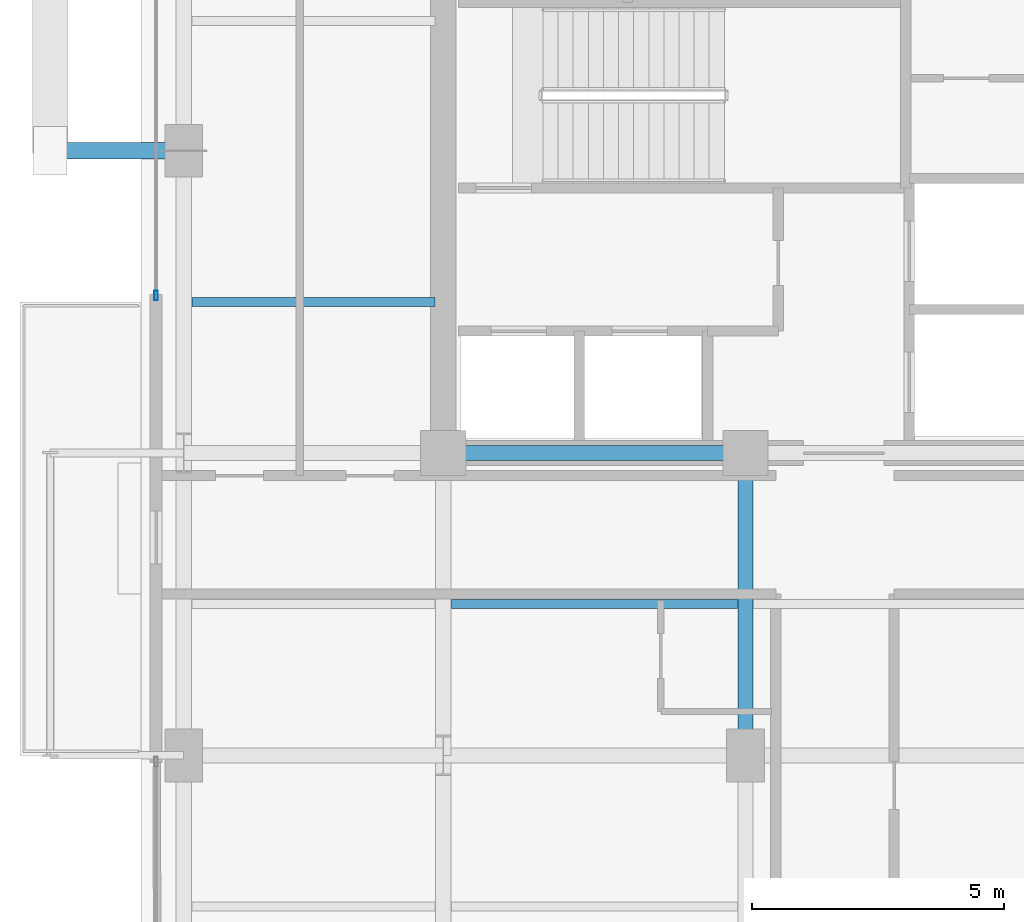
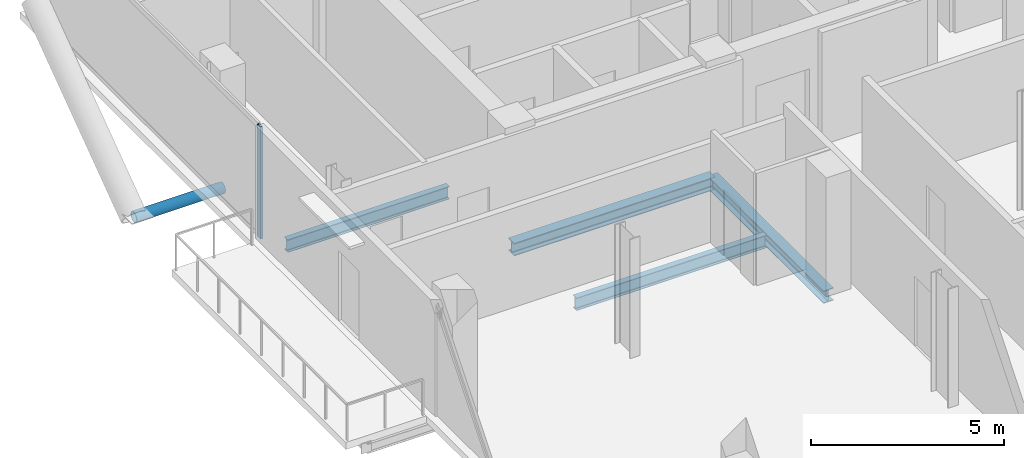
# One storey, part 7 of 21: 4 beams, 2 members, 1 element without a shape of its own.
"""IFC4 building model written with IfcOpenShell, lengths in metres."""

from ifc_helpers import new_model, si_unit, direction, frame, origin, origin_2d, place, context, subcontext, project, spatial, hollow_rectangle, hollow_circle, i_section, extrude, material, layer, layer_set, material_profile, profile_set, type_object, element, aggregate, save


model = new_model("IFC4")

# Units and contexts
model_context = context("Model", 3, precision=1e-05, world=origin(), true_north=direction((0.0, 1.0)))
body_context = subcontext(model_context, "Body", "Model", "MODEL_VIEW")
ifc_project = project(units=[si_unit("LENGTHUNIT", "METRE"), si_unit("AREAUNIT", "SQUARE_METRE"), si_unit("VOLUMEUNIT", "CUBIC_METRE"), si_unit("PLANEANGLEUNIT", "RADIAN"), si_unit("MASSUNIT", "GRAM", prefix="KILO"), si_unit("THERMODYNAMICTEMPERATUREUNIT", "KELVIN"), si_unit("POWERUNIT", "WATT")], contexts=[model_context])

# Site, building, storey
site_placement = place(None, origin())
site = spatial("IfcSite", under=ifc_project, at=site_placement, CompositionType="ELEMENT")
building_placement = place(site_placement, origin())
building = spatial("IfcBuilding", under=site, at=building_placement, Name="Svarakhadi Broadcast Tower", CompositionType="ELEMENT")
storey_placement = place(building_placement, frame((0.0, 0.0, 223.64990234375)))
storey = spatial("IfcBuildingStorey", under=building, at=storey_placement, Name="L55", CompositionType="ELEMENT", Elevation=223.64990234375)

# Beams
ifc_material_1 = material(Name="Steel S355J2 (IS 2062 E350C)", Category="steel")
ifc_material_profile_1 = material_profile(ifc_material_1, i_section(OverallWidth=0.179931640625, OverallDepth=0.39990234375, WebThickness=0.008544921875, FlangeThickness=0.013427734375, FilletRadius=0.02099609375, at=origin_2d()), Name="NPB 400x180x66")
ifc_profile_set_1 = profile_set([ifc_material_profile_1], Name="Steel S355J2 (IS 2062 E350C)")
beam_type_1 = type_object("IfcBeamType", Name="Beam_NPB400", PredefinedType="BEAM", material=ifc_profile_set_1)
beam_1_placement = place(storey_placement, frame((1.010009765625, 21.0, -0.409912109375), z_axis=(1.0, 0.0, 0.0), x_axis=(0.0, 1.0, 0.0)))
element("IfcBeam", 1, at=beam_1_placement, inside=storey, type_object=beam_type_1, Name="L55 Secondary Composite Beam SB003", PredefinedType="BEAM", context=body_context, shape_type="SweptSolid", body=[
    extrude(i_section(OverallWidth=0.179931640625, OverallDepth=0.39990234375, WebThickness=0.008544921875, FlangeThickness=0.013427734375, FilletRadius=0.02099609375, at=origin_2d()), origin(), (0.0, 0.0, 1.0), 4.830078125),
])
beam_2_placement = place(storey_placement, frame((6.159912109375, 15.0, -0.409912109375), z_axis=(1.0, 0.0, 0.0), x_axis=(0.0, 1.0, 0.0)))
element("IfcBeam", 2, at=beam_2_placement, inside=storey, type_object=beam_type_1, Name="L55 Secondary Composite Beam SB007", PredefinedType="BEAM", context=body_context, shape_type="SweptSolid", body=[
    extrude(i_section(OverallWidth=0.179931640625, OverallDepth=0.39990234375, WebThickness=0.008544921875, FlangeThickness=0.013427734375, FilletRadius=0.02099609375, at=origin_2d()), origin(), (0.0, 0.0, 1.0), 5.68017578125),
])

# Curtain wall, member
ifc_material_2 = material(Name="Anodised Bronze Aluminium AA 6063-T6", Category="aluminium")
ifc_layer = layer(ifc_material_2, 0.18994140625)
ifc_layer_set = layer_set([ifc_layer], Name="Anodised Bronze Aluminium AA 6063-T6")
curtain_wall_type = type_object("IfcCurtainWallType", Name="CW_Sys_04", PredefinedType="NOTDEFINED", material=ifc_layer_set)
curtain_wall_placement = place(storey_placement, origin())
curtain_wall = element("IfcCurtainWall", 3, at=curtain_wall_placement, inside=storey, type_object=curtain_wall_type, Name="L55 West Curtain Wall 03", PredefinedType="NOTDEFINED")
ifc_material_profile_2 = material_profile(ifc_material_2, hollow_rectangle(XDim=0.070068359375, YDim=0.18994140625, WallThickness=0.005615234375, at=origin_2d()), Name="ALU MULLION 190x70x6")
ifc_profile_set_2 = profile_set([ifc_material_profile_2], Name="Anodised Bronze Aluminium AA 6063-T6")
member_type_1 = type_object("IfcMemberType", Name="CW_Sys_04_Mul", PredefinedType="MULLION", material=ifc_profile_set_2)
member_1_placement = place(storey_placement, frame((0.300048828125, 21.125, 0.0), z_axis=(0.0, 0.0, 1.0), x_axis=(-1.0, 0.0, 0.0)))
member_1 = element("IfcMember", 4, at=member_1_placement, type_object=member_type_1, Name="CW-04 mullion 1", PredefinedType="MULLION", context=body_context, shape_type="SweptSolid", body=[
    extrude(hollow_rectangle(XDim=0.070068359375, YDim=0.18994140625, WallThickness=0.005615234375, at=origin_2d()), origin(), (0.0, 0.0, 1.0), 3.5400390625),
])
aggregate(curtain_wall, [member_1])

# Member
ifc_material_3 = material(Name="Steel S460ML (IS 2062 E450BR)", Category="steel")
ifc_material_profile_3 = material_profile(ifc_material_3, hollow_circle(Radius=0.161865234375, WallThickness=0.01611328125, at=origin_2d()), Name="CHS 323.9x16")
ifc_profile_set_3 = profile_set([ifc_material_profile_3], Name="Steel S460ML (IS 2062 E450BR)")
member_type_2 = type_object("IfcMemberType", Name="Exo_Radial_Strut_Z2", PredefinedType="STRUT", material=ifc_profile_set_3)
member_2_placement = place(storey_placement, frame((-1.800048828125, 24.0, -0.371826171875), z_axis=(1.0, 0.0, 0.0), x_axis=(0.0, 1.0, 0.0)))
element("IfcMember", 5, at=member_2_placement, inside=storey, type_object=member_type_2, Name="L55 Exoskeleton Radial Tie Strut W03", PredefinedType="STRUT", context=body_context, shape_type="SweptSolid", body=[
    extrude(hollow_circle(Radius=0.161865234375, WallThickness=0.01611328125, at=origin_2d()), origin(), (0.0, 0.0, 1.0), 2.650146484375),
])

# Beams
ifc_material_profile_4 = material_profile(ifc_material_1, i_section(OverallWidth=0.300048828125, OverallDepth=0.39990234375, WebThickness=0.013427734375, FlangeThickness=0.02392578125, FilletRadius=0.027099609375, at=origin_2d()), Name="WPB 400x300x155")
ifc_profile_set_4 = profile_set([ifc_material_profile_4], Name="Steel S355J2 (IS 2062 E350C)")
beam_type_2 = type_object("IfcBeamType", Name="Girder_WPB400", PredefinedType="USERDEFINED", material=ifc_profile_set_4)
for number, where, z_axis, x_axis, name in (
    (6, (6.0, 18.0, -0.409912109375), (1.0, 0.0, 0.0), (0.0, 1.0, 0.0), "L55 Primary E-W Girder G021"),
    (7, (12.0, 12.0, -0.409912109375), (0.0, 1.0, 0.0), (-1.0, 0.0, 0.0), "L55 Primary N-S Girder G044"),
):
    element("IfcBeam", number, at=place(storey_placement, frame(where, z_axis=z_axis, x_axis=x_axis)), inside=storey, type_object=beam_type_2, Name=name, ObjectType="GIRDER", PredefinedType="USERDEFINED", context=body_context, shape_type="SweptSolid", body=[
        extrude(i_section(OverallWidth=0.300048828125, OverallDepth=0.39990234375, WebThickness=0.013427734375, FlangeThickness=0.02392578125, FilletRadius=0.027099609375, at=origin_2d()), origin(), (0.0, 0.0, 1.0), 6.0),
    ])

save(model, "model.ifc")
